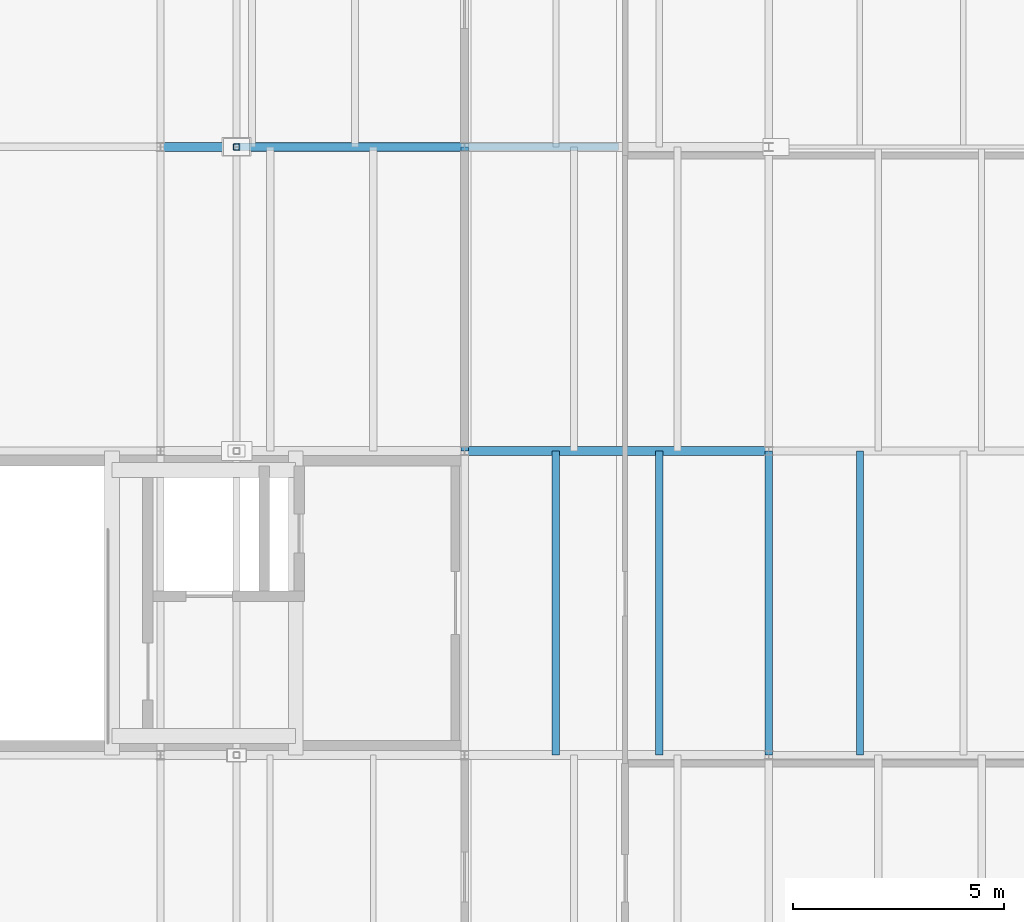
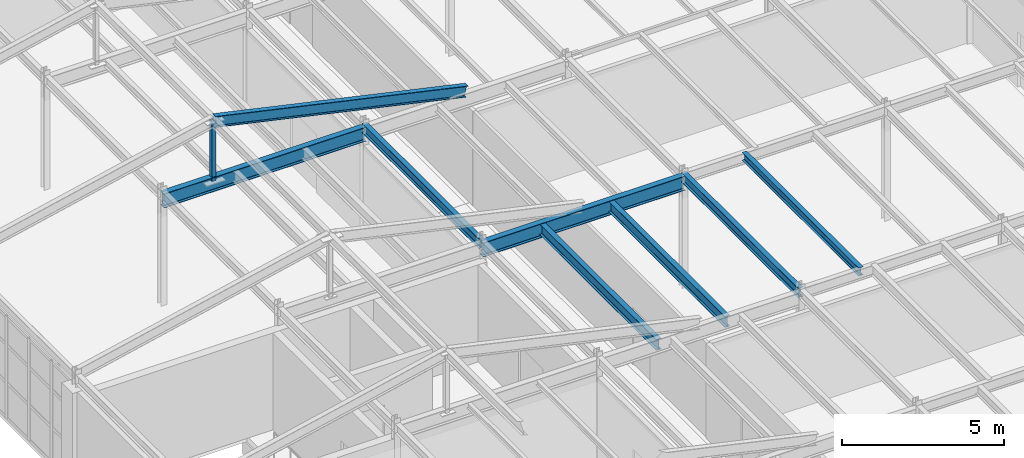
# One storey, part 18 of 43: 8 beams, 1 member.
"""IFC4 building model written with IfcOpenShell, lengths in metres."""

import ifcopenshell
import ifcopenshell.guid

model = None  # the IFC model being written
_history = None  # IfcOwnerHistory: only IFC2X3 demands one
_inside = {}  # id of a spatial element -> (the spatial element, [elements in it])
_under = {}  # id of a project, library or spatial element -> (it, [spatial elements below it])
_declared = {}  # id of a project -> (the project, [libraries it declares])
_typed = {}  # id of a type object -> (the type object, [elements of that type])
_made_of = {}  # id of a material, layer set ... -> (it, [elements and type objects made of it])


def new_model(schema):
    """Start an empty IFC model of exactly this schema.

    Asked for "IFC4X3", IfcOpenShell would pick the latest addendum, in which some entities
    have other attributes; the version numbers below select the first issue.
    IFC2X3 requires an IfcOwnerHistory on every rooted entity: one is made here for all.
    """
    global model, _history
    if schema == "IFC4X3":
        model = ifcopenshell.file(schema_version=(4, 3, 0, 0))
    else:
        model = ifcopenshell.file(schema=schema)
    _inside.clear()
    _under.clear()
    _declared.clear()
    _typed.clear()
    _made_of.clear()
    _history = None
    if model.schema == "IFC2X3":
        org = make("IfcOrganization", Name="unknown")
        user = make(
            "IfcPersonAndOrganization",
            ThePerson=make("IfcPerson", FamilyName="unknown"),
            TheOrganization=org,
        )
        app = make(
            "IfcApplication",
            ApplicationDeveloper=org,
            Version="unknown",
            ApplicationFullName="unknown",
            ApplicationIdentifier="unknown",
        )
        _history = make(
            "IfcOwnerHistory",
            OwningUser=user,
            OwningApplication=app,
            ChangeAction="ADDED",
            CreationDate=0,
        )
    return model


def make(cls, **values):
    """One entity of the class cls with the attributes given. An attribute that is None is left unset."""
    return model.create_entity(
        cls, **{name: value for name, value in values.items() if value is not None}
    )


def rooted(cls, **values):
    """An entity with a GlobalId (a new one), such as an element, a storey or a relation."""
    return make(cls, GlobalId=ifcopenshell.guid.new(), OwnerHistory=_history, **values)


def si_unit(unit_type, name, prefix=None):
    """IfcSIUnit, for example si_unit("LENGTHUNIT", "METRE", prefix="MILLI")."""
    return make("IfcSIUnit", UnitType=unit_type, Prefix=prefix, Name=name)


def assignment(units):
    """IfcUnitAssignment: the units of a project."""
    return None if units is None else make("IfcUnitAssignment", Units=units)


def point(xyz):
    """IfcCartesianPoint."""
    return None if xyz is None else make("IfcCartesianPoint", Coordinates=xyz)


def direction(xyz):
    """IfcDirection."""
    return None if xyz is None else make("IfcDirection", DirectionRatios=xyz)


def frame(location, z_axis=None, x_axis=None):
    """IfcAxis2Placement3D, a coordinate frame: its origin and axes. An axis left out is left unset."""
    return make(
        "IfcAxis2Placement3D",
        Location=point(location),
        Axis=direction(z_axis),
        RefDirection=direction(x_axis),
    )


def frame_2d(location, x_axis=None):
    """IfcAxis2Placement2D, a coordinate frame in the plane: its origin and x axis."""
    return make(
        "IfcAxis2Placement2D", Location=point(location), RefDirection=direction(x_axis)
    )


def origin():
    """The frame at (0, 0, 0) with its axes left unset."""
    return frame((0.0, 0.0, 0.0))


def origin_2d():
    """The frame at (0, 0) in the plane with its x axis left unset."""
    return frame_2d((0.0, 0.0))


def place(relative_to, where):
    """IfcLocalPlacement: puts the frame where relative to a parent placement (None: the world)."""
    return make(
        "IfcLocalPlacement", PlacementRelTo=relative_to, RelativePlacement=where
    )


def context(
    kind, dimensions, precision=None, world=None, true_north=None, identifier=None
):
    """IfcGeometricRepresentationContext, for example the 3D "Model" context."""
    return make(
        "IfcGeometricRepresentationContext",
        ContextIdentifier=identifier,
        ContextType=kind,
        CoordinateSpaceDimension=dimensions,
        Precision=precision,
        WorldCoordinateSystem=world,
        TrueNorth=true_north,
    )


def subcontext(parent, identifier, kind, view, scale=None):
    """IfcGeometricRepresentationSubContext, for example "Body" below "Model"."""
    return make(
        "IfcGeometricRepresentationSubContext",
        ContextIdentifier=identifier,
        ContextType=kind,
        ParentContext=parent,
        TargetScale=scale,
        TargetView=view,
    )


def project(units=None, contexts=None):
    """IfcProject with its units and contexts."""
    return rooted(
        "IfcProject",
        Name="project",
        RepresentationContexts=contexts,
        UnitsInContext=assignment(units),
    )


def spatial(cls, under=None, at=None, **own):
    """A site, building, storey or space (cls), placed at a placement, below another one or the project."""
    s = rooted(cls, ObjectPlacement=at, **own)
    if under is not None:
        _under.setdefault(under.id(), (under, []))[1].append(s)
    return s


def profile(cls, at=None, kind="AREA", **sizes):
    """A parametric profile (cls). Its sizes go by their IFC names, for example OverallWidth=200.0."""
    return make(cls, ProfileType=kind, Position=at, **sizes)


def hollow_rectangle(**sizes):
    """IfcRectangleHollowProfileDef."""
    return profile("IfcRectangleHollowProfileDef", **sizes)


def i_section(**sizes):
    """IfcIShapeProfileDef."""
    return profile("IfcIShapeProfileDef", **sizes)


def extrude(swept, where, along, depth):
    """IfcExtrudedAreaSolid: the profile swept, set in the frame where, extruded along a direction by depth."""
    return make(
        "IfcExtrudedAreaSolid",
        SweptArea=swept,
        Position=where,
        ExtrudedDirection=direction(along),
        Depth=depth,
    )


def shape(context_of_items, identifier, shape_type, items):
    """IfcShapeRepresentation: the items that make up one representation, for example the "Body"."""
    return make(
        "IfcShapeRepresentation",
        ContextOfItems=context_of_items,
        RepresentationIdentifier=identifier,
        RepresentationType=shape_type,
        Items=items,
    )


def material(Name=None, Category=None):
    """IfcMaterial."""
    return make("IfcMaterial", Name=Name, Category=Category)


def material_profile(
    of_material, cross_section, Name=None, Category=None, Priority=None
):
    """IfcMaterialProfile: a cross section and its material."""
    return make(
        "IfcMaterialProfile",
        Name=Name,
        Material=of_material,
        Profile=cross_section,
        Priority=Priority,
        Category=Category,
    )


def profile_set(profiles, Name=None, composite=None):
    """IfcMaterialProfileSet."""
    return make(
        "IfcMaterialProfileSet",
        Name=Name,
        MaterialProfiles=profiles,
        CompositeProfile=composite,
    )


def made_of(thing, what):
    """Note that an element or type object is made of a material, layer set ...; save() writes the relation."""
    if what is not None:
        _made_of.setdefault(what.id(), (what, []))[1].append(thing)
    return thing


def type_object(cls, material=None, **own):
    """A type object (cls), such as IfcWallType, which elements share."""
    return made_of(rooted(cls, **own), material)


def element(
    cls,
    number,
    at=None,
    inside=None,
    cuts=None,
    type_object=None,
    material=None,
    context=None,
    identifier="Body",
    shape_type=None,
    held_by="IfcProductDefinitionShape",
    body=None,
    shapes=None,
    **own,
):
    """One element of the class cls, such as IfcWall. Its Tag is "e" and its number.

    at: its placement. inside: the storey or other place that contains it. cuts: it is an
    opening in that element (IfcRelVoidsElement). A single representation is given by context,
    identifier, shape_type and body (its items); several are given by shapes. held_by: the class
    of the entity that holds the representations. save() writes the other relations.
    """
    e = rooted(cls, Tag="e%d" % number, ObjectPlacement=at, **own)
    if body is not None:
        shapes = [shape(context, identifier, shape_type, body)]
    if shapes is not None:
        e.Representation = make(held_by, Representations=shapes)
    if inside is not None:
        _inside.setdefault(inside.id(), (inside, []))[1].append(e)
    if cuts is not None:
        rooted(
            "IfcRelVoidsElement", RelatingBuildingElement=cuts, RelatedOpeningElement=e
        )
    if type_object is not None:
        _typed.setdefault(type_object.id(), (type_object, []))[1].append(e)
    return made_of(e, material)


def aggregate(whole, parts):
    """IfcRelAggregates: a whole, such as a stair, and the parts it consists of."""
    return rooted("IfcRelAggregates", RelatingObject=whole, RelatedObjects=parts)


def save(model, path):
    """Write the relations noted so far, then the file.

    IfcRelAggregates (storeys below a building ...), IfcRelContainedInSpatialStructure (elements
    in a storey), IfcRelDefinesByType, IfcRelAssociatesMaterial and IfcRelDeclares: one each for
    every whole, place, type object, material and project.
    """
    for whole, parts in _under.values():
        aggregate(whole, parts)
    for where, things in _inside.values():
        rooted(
            "IfcRelContainedInSpatialStructure",
            RelatedElements=things,
            RelatingStructure=where,
        )
    for kind, things in _typed.values():
        rooted("IfcRelDefinesByType", RelatedObjects=things, RelatingType=kind)
    for what, things in _made_of.values():
        rooted("IfcRelAssociatesMaterial", RelatedObjects=things, RelatingMaterial=what)
    for by, libraries in _declared.values():
        rooted("IfcRelDeclares", RelatingContext=by, RelatedDefinitions=libraries)
    model.write(path)


model = new_model("IFC4")

# Units and contexts
model_context = context("Model", 3, precision=1e-05, world=origin(), true_north=direction((0.0, 1.0)))
body_context = subcontext(model_context, "Body", "Model", "MODEL_VIEW")
ifc_project = project(units=[si_unit("LENGTHUNIT", "METRE"), si_unit("AREAUNIT", "SQUARE_METRE"), si_unit("VOLUMEUNIT", "CUBIC_METRE"), si_unit("PLANEANGLEUNIT", "RADIAN"), si_unit("MASSUNIT", "GRAM", prefix="KILO")], contexts=[model_context])

# Site, building, storey
site_placement = place(None, origin())
site = spatial("IfcSite", under=ifc_project, at=site_placement, CompositionType="ELEMENT")
building_placement = place(site_placement, origin())
building = spatial("IfcBuilding", under=site, at=building_placement, Name="Kemerveld Promenade Tramway Depot", CompositionType="ELEMENT")
storey_placement = place(building_placement, frame((0.0, 0.0, 18.89990234375)))
storey = spatial("IfcBuildingStorey", under=building, at=storey_placement, Name="L04", CompositionType="ELEMENT", Elevation=18.89990234375)

# Beams
ifc_material = material(Name="Steel S355", Category="steel")
ifc_material_profile_1 = material_profile(ifc_material, i_section(OverallWidth=0.2099609375, OverallDepth=0.53662109375, WebThickness=0.0107421875, FlangeThickness=0.017333984375, FilletRadius=0.0126953125, at=origin_2d()), Name="533x210x101 UB")
ifc_profile_set_1 = profile_set([ifc_material_profile_1], Name="Steel S355")
beam_type_1 = type_object("IfcBeamType", Name="BM-G05", PredefinedType="BEAM", material=ifc_profile_set_1)
beam_1_placement = place(storey_placement, frame((14.39990234375, 21.60009765625, 3.94677734375), z_axis=(1.0, 0.0, 0.0), x_axis=(0.0, 1.0, 0.0)))
element("IfcBeam", 1, at=beam_1_placement, inside=storey, type_object=beam_type_1, Name="BMX-L04-03-04-D", PredefinedType="BEAM", context=body_context, shape_type="SweptSolid", body=[
    extrude(i_section(OverallWidth=0.2099609375, OverallDepth=0.53662109375, WebThickness=0.0107421875, FlangeThickness=0.017333984375, FilletRadius=0.0126953125, at=origin_2d()), origin(), (0.0, 0.0, 1.0), 7.2001953125),
])
beam_2_placement = place(storey_placement, frame((7.199951171875, 28.800048828125, 3.94677734375), z_axis=(1.0, 0.0, 0.0), x_axis=(0.0, 1.0, 0.0)))
element("IfcBeam", 2, at=beam_2_placement, inside=storey, type_object=beam_type_1, Name="BMX-L04-02-03-E", PredefinedType="BEAM", context=body_context, shape_type="SweptSolid", body=[
    extrude(i_section(OverallWidth=0.2099609375, OverallDepth=0.53662109375, WebThickness=0.0107421875, FlangeThickness=0.017333984375, FilletRadius=0.0126953125, at=origin_2d()), origin(), (0.0, 0.0, 1.0), 7.199951171875),
])
ifc_material_profile_2 = material_profile(ifc_material, i_section(OverallWidth=0.1787109375, OverallDepth=0.409423828125, WebThickness=0.0087890625, FlangeThickness=0.014404296875, FilletRadius=0.01025390625, at=origin_2d()), Name="406x178x67 UB")
ifc_profile_set_2 = profile_set([ifc_material_profile_2], Name="Steel S355")
beam_type_2 = type_object("IfcBeamType", Name="BM-G07", PredefinedType="BEAM", material=ifc_profile_set_2)
beam_3_placement = place(storey_placement, frame((9.0, 28.800048828125, 6.275390625), z_axis=(0.976187060184, 0.0, -0.216930457819), x_axis=(0.0, 1.0, 0.0)))
element("IfcBeam", 3, at=beam_3_placement, inside=storey, type_object=beam_type_2, Name="RAF-V5-E-E", PredefinedType="BEAM", context=body_context, shape_type="SweptSolid", body=[
    extrude(i_section(OverallWidth=0.1787109375, OverallDepth=0.409423828125, WebThickness=0.0087890625, FlangeThickness=0.014404296875, FilletRadius=0.01025390625, at=origin_2d()), origin(), (0.0, 0.0, 1.0), 9.219482421875),
])
ifc_material_profile_3 = material_profile(ifc_material, i_section(OverallWidth=0.172119140625, OverallDepth=0.35791015625, WebThickness=0.008056640625, FlangeThickness=0.012939453125, FilletRadius=0.01025390625, at=origin_2d()), Name="356x171x57 UB")
ifc_profile_set_3 = profile_set([ifc_material_profile_3], Name="Steel S355")
beam_type_3 = type_object("IfcBeamType", Name="BM-G08", PredefinedType="BEAM", material=ifc_profile_set_3)
beam_4_placement = place(storey_placement, frame((14.39990234375, 21.60009765625, 4.14111328125), z_axis=(0.0, 1.0, 0.0), x_axis=(-1.0, 0.0, 0.0)))
element("IfcBeam", 4, at=beam_4_placement, inside=storey, type_object=beam_type_3, Name="BMY-L04-03-D-E", PredefinedType="BEAM", context=body_context, shape_type="SweptSolid", body=[
    extrude(i_section(OverallWidth=0.172119140625, OverallDepth=0.35791015625, WebThickness=0.008056640625, FlangeThickness=0.012939453125, FilletRadius=0.01025390625, at=origin_2d()), origin(), (0.0, 0.0, 1.0), 7.199951171875),
])
beam_5_placement = place(storey_placement, frame((21.60009765625, 14.39990234375, 4.14111328125), z_axis=(0.0, 1.0, 0.0), x_axis=(-1.0, 0.0, 0.0)))
element("IfcBeam", 5, at=beam_5_placement, inside=storey, type_object=beam_type_3, Name="BMY-L04-04-C-D", PredefinedType="BEAM", context=body_context, shape_type="SweptSolid", body=[
    extrude(i_section(OverallWidth=0.172119140625, OverallDepth=0.35791015625, WebThickness=0.008056640625, FlangeThickness=0.012939453125, FilletRadius=0.01025390625, at=origin_2d()), origin(), (0.0, 0.0, 1.0), 7.2001953125),
])
ifc_material_profile_4 = material_profile(ifc_material, i_section(OverallWidth=0.165771484375, OverallDepth=0.306640625, WebThickness=0.006591796875, FlangeThickness=0.01171875, FilletRadius=0.0087890625, at=origin_2d()), Name="305x165x46 UB")
ifc_profile_set_4 = profile_set([ifc_material_profile_4], Name="Steel S355")
beam_type_4 = type_object("IfcBeamType", Name="BM-J01", PredefinedType="JOIST", material=ifc_profile_set_4)
beam_6_placement = place(storey_placement, frame((23.760009765625, 14.39990234375, 4.166748046875), z_axis=(0.0, 1.0, 0.0), x_axis=(-1.0, 0.0, 0.0)))
element("IfcBeam", 6, at=beam_6_placement, inside=storey, type_object=beam_type_4, Name="JST-L04-04-C-1", PredefinedType="JOIST", context=body_context, shape_type="SweptSolid", body=[
    extrude(i_section(OverallWidth=0.165771484375, OverallDepth=0.306640625, WebThickness=0.006591796875, FlangeThickness=0.01171875, FilletRadius=0.0087890625, at=origin_2d()), origin(), (0.0, 0.0, 1.0), 7.2001953125),
])
ifc_material_profile_5 = material_profile(ifc_material, i_section(OverallWidth=0.1787109375, OverallDepth=0.409423828125, WebThickness=0.0087890625, FlangeThickness=0.014404296875, FilletRadius=0.01025390625, at=origin_2d()), Name="406x178x67 UB")
ifc_profile_set_5 = profile_set([ifc_material_profile_5], Name="Steel S355")
beam_type_5 = type_object("IfcBeamType", Name="BM-J05", PredefinedType="JOIST", material=ifc_profile_set_5)
for number, where, z_axis, x_axis, name in (
    (7, (16.56005859375, 14.39990234375, 3.950439453125), (0.0, 1.0, 0.0), (-1.0, 0.0, 0.0), "JST-L04-03-C-1"),
    (8, (19.008056640625, 14.39990234375, 3.950439453125), (0.0, 1.0, 0.0), (-1.0, 0.0, 0.0), "JST-L04-03-C-2"),
):
    element("IfcBeam", number, at=place(storey_placement, frame(where, z_axis=z_axis, x_axis=x_axis)), inside=storey, type_object=beam_type_5, Name=name, PredefinedType="JOIST", context=body_context, shape_type="SweptSolid", body=[
        extrude(i_section(OverallWidth=0.1787109375, OverallDepth=0.409423828125, WebThickness=0.0087890625, FlangeThickness=0.014404296875, FilletRadius=0.01025390625, at=origin_2d()), origin(), (0.0, 0.0, 1.0), 7.2001953125),
    ])

# Member
ifc_material_profile_6 = material_profile(ifc_material, hollow_rectangle(XDim=0.14990234375, YDim=0.14990234375, WallThickness=0.008056640625, InnerFilletRadius=0.00390625, OuterFilletRadius=0.011962890625, at=origin_2d()), Name="150x150x8.0 SHS")
ifc_profile_set_6 = profile_set([ifc_material_profile_6], Name="Steel S355")
member_type = type_object("IfcMemberType", Name="MB-TP2", PredefinedType="POST", material=ifc_profile_set_6)
member_placement = place(storey_placement, frame((9.0, 28.800048828125, 4.050048828125), z_axis=(0.0, 0.0, 1.0), x_axis=(1.0, 0.0, 0.0)))
element("IfcMember", 9, at=member_placement, inside=storey, type_object=member_type, Name="POST-RDG-V5-E", PredefinedType="POST", context=body_context, shape_type="SweptSolid", body=[
    extrude(hollow_rectangle(XDim=0.14990234375, YDim=0.14990234375, WallThickness=0.008056640625, InnerFilletRadius=0.00390625, OuterFilletRadius=0.011962890625, at=origin_2d()), origin(), (0.0, 0.0, 1.0), 2.265380859375),
])

save(model, "model.ifc")
